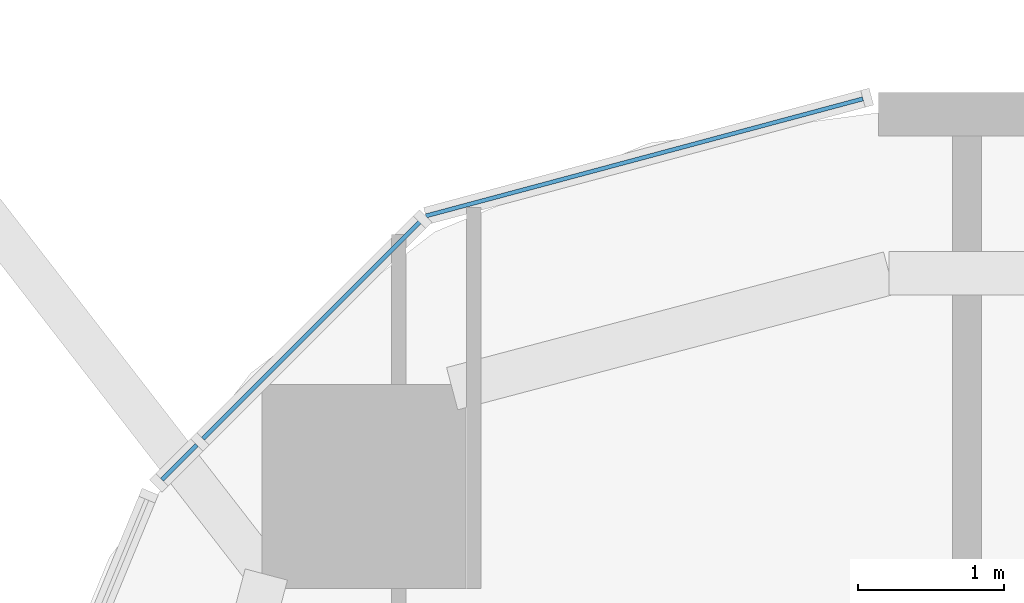
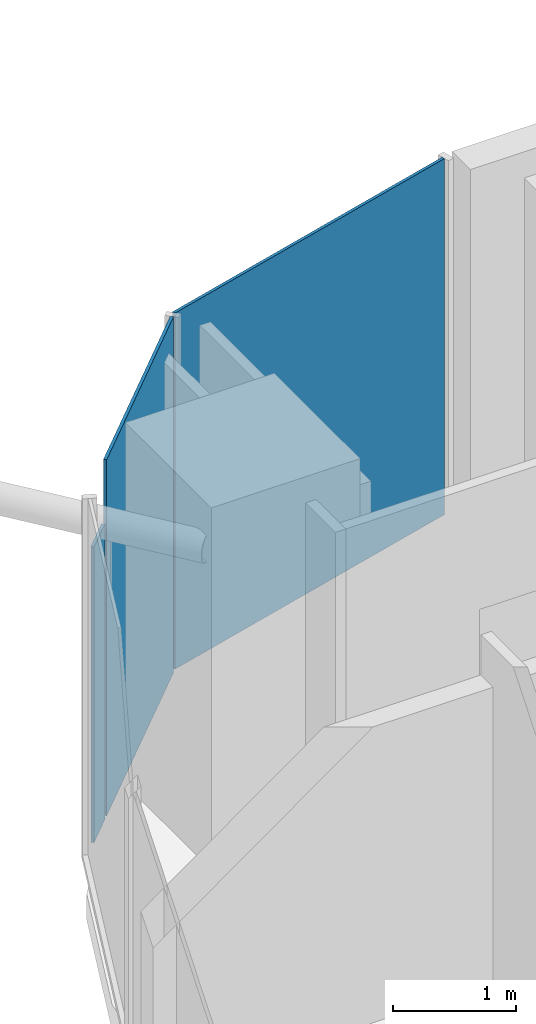
# One storey, part 18 of 28: 3 plates, 3 elements without a shape of their own.
"""IFC4 building model written with IfcOpenShell, lengths in metres."""

import ifcopenshell
import ifcopenshell.guid

model = None  # the IFC model being written
_history = None  # IfcOwnerHistory: only IFC2X3 demands one
_inside = {}  # id of a spatial element -> (the spatial element, [elements in it])
_under = {}  # id of a project, library or spatial element -> (it, [spatial elements below it])
_declared = {}  # id of a project -> (the project, [libraries it declares])
_typed = {}  # id of a type object -> (the type object, [elements of that type])
_made_of = {}  # id of a material, layer set ... -> (it, [elements and type objects made of it])


def new_model(schema):
    """Start an empty IFC model of exactly this schema.

    Asked for "IFC4X3", IfcOpenShell would pick the latest addendum, in which some entities
    have other attributes; the version numbers below select the first issue.
    IFC2X3 requires an IfcOwnerHistory on every rooted entity: one is made here for all.
    """
    global model, _history
    if schema == "IFC4X3":
        model = ifcopenshell.file(schema_version=(4, 3, 0, 0))
    else:
        model = ifcopenshell.file(schema=schema)
    _inside.clear()
    _under.clear()
    _declared.clear()
    _typed.clear()
    _made_of.clear()
    _history = None
    if model.schema == "IFC2X3":
        org = make("IfcOrganization", Name="unknown")
        user = make(
            "IfcPersonAndOrganization",
            ThePerson=make("IfcPerson", FamilyName="unknown"),
            TheOrganization=org,
        )
        app = make(
            "IfcApplication",
            ApplicationDeveloper=org,
            Version="unknown",
            ApplicationFullName="unknown",
            ApplicationIdentifier="unknown",
        )
        _history = make(
            "IfcOwnerHistory",
            OwningUser=user,
            OwningApplication=app,
            ChangeAction="ADDED",
            CreationDate=0,
        )
    return model


def make(cls, **values):
    """One entity of the class cls with the attributes given. An attribute that is None is left unset."""
    return model.create_entity(
        cls, **{name: value for name, value in values.items() if value is not None}
    )


def rooted(cls, **values):
    """An entity with a GlobalId (a new one), such as an element, a storey or a relation."""
    return make(cls, GlobalId=ifcopenshell.guid.new(), OwnerHistory=_history, **values)


def si_unit(unit_type, name, prefix=None):
    """IfcSIUnit, for example si_unit("LENGTHUNIT", "METRE", prefix="MILLI")."""
    return make("IfcSIUnit", UnitType=unit_type, Prefix=prefix, Name=name)


def assignment(units):
    """IfcUnitAssignment: the units of a project."""
    return None if units is None else make("IfcUnitAssignment", Units=units)


def point(xyz):
    """IfcCartesianPoint."""
    return None if xyz is None else make("IfcCartesianPoint", Coordinates=xyz)


def direction(xyz):
    """IfcDirection."""
    return None if xyz is None else make("IfcDirection", DirectionRatios=xyz)


def frame(location, z_axis=None, x_axis=None):
    """IfcAxis2Placement3D, a coordinate frame: its origin and axes. An axis left out is left unset."""
    return make(
        "IfcAxis2Placement3D",
        Location=point(location),
        Axis=direction(z_axis),
        RefDirection=direction(x_axis),
    )


def frame_2d(location, x_axis=None):
    """IfcAxis2Placement2D, a coordinate frame in the plane: its origin and x axis."""
    return make(
        "IfcAxis2Placement2D", Location=point(location), RefDirection=direction(x_axis)
    )


def origin():
    """The frame at (0, 0, 0) with its axes left unset."""
    return frame((0.0, 0.0, 0.0))


def origin_2d():
    """The frame at (0, 0) in the plane with its x axis left unset."""
    return frame_2d((0.0, 0.0))


def place(relative_to, where):
    """IfcLocalPlacement: puts the frame where relative to a parent placement (None: the world)."""
    return make(
        "IfcLocalPlacement", PlacementRelTo=relative_to, RelativePlacement=where
    )


def context(
    kind, dimensions, precision=None, world=None, true_north=None, identifier=None
):
    """IfcGeometricRepresentationContext, for example the 3D "Model" context."""
    return make(
        "IfcGeometricRepresentationContext",
        ContextIdentifier=identifier,
        ContextType=kind,
        CoordinateSpaceDimension=dimensions,
        Precision=precision,
        WorldCoordinateSystem=world,
        TrueNorth=true_north,
    )


def subcontext(parent, identifier, kind, view, scale=None):
    """IfcGeometricRepresentationSubContext, for example "Body" below "Model"."""
    return make(
        "IfcGeometricRepresentationSubContext",
        ContextIdentifier=identifier,
        ContextType=kind,
        ParentContext=parent,
        TargetScale=scale,
        TargetView=view,
    )


def project(units=None, contexts=None):
    """IfcProject with its units and contexts."""
    return rooted(
        "IfcProject",
        Name="project",
        RepresentationContexts=contexts,
        UnitsInContext=assignment(units),
    )


def spatial(cls, under=None, at=None, **own):
    """A site, building, storey or space (cls), placed at a placement, below another one or the project."""
    s = rooted(cls, ObjectPlacement=at, **own)
    if under is not None:
        _under.setdefault(under.id(), (under, []))[1].append(s)
    return s


def profile(cls, at=None, kind="AREA", **sizes):
    """A parametric profile (cls). Its sizes go by their IFC names, for example OverallWidth=200.0."""
    return make(cls, ProfileType=kind, Position=at, **sizes)


def rectangle(**sizes):
    """IfcRectangleProfileDef."""
    return profile("IfcRectangleProfileDef", **sizes)


def extrude(swept, where, along, depth):
    """IfcExtrudedAreaSolid: the profile swept, set in the frame where, extruded along a direction by depth."""
    return make(
        "IfcExtrudedAreaSolid",
        SweptArea=swept,
        Position=where,
        ExtrudedDirection=direction(along),
        Depth=depth,
    )


def shape(context_of_items, identifier, shape_type, items):
    """IfcShapeRepresentation: the items that make up one representation, for example the "Body"."""
    return make(
        "IfcShapeRepresentation",
        ContextOfItems=context_of_items,
        RepresentationIdentifier=identifier,
        RepresentationType=shape_type,
        Items=items,
    )


def material(Name=None, Category=None):
    """IfcMaterial."""
    return make("IfcMaterial", Name=Name, Category=Category)


def layer(
    of_material, thickness, ventilated=None, Name=None, Category=None, Priority=None
):
    """IfcMaterialLayer: one layer of a wall or slab, of a material (None: an air gap)."""
    return make(
        "IfcMaterialLayer",
        Material=of_material,
        LayerThickness=thickness,
        IsVentilated=ventilated,
        Name=Name,
        Category=Category,
        Priority=Priority,
    )


def layer_set(layers, Name=None):
    """IfcMaterialLayerSet."""
    return make("IfcMaterialLayerSet", MaterialLayers=layers, LayerSetName=Name)


def made_of(thing, what):
    """Note that an element or type object is made of a material, layer set ...; save() writes the relation."""
    if what is not None:
        _made_of.setdefault(what.id(), (what, []))[1].append(thing)
    return thing


def type_object(cls, material=None, **own):
    """A type object (cls), such as IfcWallType, which elements share."""
    return made_of(rooted(cls, **own), material)


def element(
    cls,
    number,
    at=None,
    inside=None,
    cuts=None,
    type_object=None,
    material=None,
    context=None,
    identifier="Body",
    shape_type=None,
    held_by="IfcProductDefinitionShape",
    body=None,
    shapes=None,
    **own,
):
    """One element of the class cls, such as IfcWall. Its Tag is "e" and its number.

    at: its placement. inside: the storey or other place that contains it. cuts: it is an
    opening in that element (IfcRelVoidsElement). A single representation is given by context,
    identifier, shape_type and body (its items); several are given by shapes. held_by: the class
    of the entity that holds the representations. save() writes the other relations.
    """
    e = rooted(cls, Tag="e%d" % number, ObjectPlacement=at, **own)
    if body is not None:
        shapes = [shape(context, identifier, shape_type, body)]
    if shapes is not None:
        e.Representation = make(held_by, Representations=shapes)
    if inside is not None:
        _inside.setdefault(inside.id(), (inside, []))[1].append(e)
    if cuts is not None:
        rooted(
            "IfcRelVoidsElement", RelatingBuildingElement=cuts, RelatedOpeningElement=e
        )
    if type_object is not None:
        _typed.setdefault(type_object.id(), (type_object, []))[1].append(e)
    return made_of(e, material)


def aggregate(whole, parts):
    """IfcRelAggregates: a whole, such as a stair, and the parts it consists of."""
    return rooted("IfcRelAggregates", RelatingObject=whole, RelatedObjects=parts)


def save(model, path):
    """Write the relations noted so far, then the file.

    IfcRelAggregates (storeys below a building ...), IfcRelContainedInSpatialStructure (elements
    in a storey), IfcRelDefinesByType, IfcRelAssociatesMaterial and IfcRelDeclares: one each for
    every whole, place, type object, material and project.
    """
    for whole, parts in _under.values():
        aggregate(whole, parts)
    for where, things in _inside.values():
        rooted(
            "IfcRelContainedInSpatialStructure",
            RelatedElements=things,
            RelatingStructure=where,
        )
    for kind, things in _typed.values():
        rooted("IfcRelDefinesByType", RelatedObjects=things, RelatingType=kind)
    for what, things in _made_of.values():
        rooted("IfcRelAssociatesMaterial", RelatedObjects=things, RelatingMaterial=what)
    for by, libraries in _declared.values():
        rooted("IfcRelDeclares", RelatingContext=by, RelatedDefinitions=libraries)
    model.write(path)


model = new_model("IFC4")

# Units and contexts
model_context = context("Model", 3, precision=1e-05, world=origin(), true_north=direction((0.0, 1.0)))
body_context = subcontext(model_context, "Body", "Model", "MODEL_VIEW")
ifc_project = project(units=[si_unit("LENGTHUNIT", "METRE"), si_unit("AREAUNIT", "SQUARE_METRE"), si_unit("VOLUMEUNIT", "CUBIC_METRE"), si_unit("PLANEANGLEUNIT", "RADIAN"), si_unit("MASSUNIT", "GRAM", prefix="KILO")], contexts=[model_context])

# Site, building, storey
site_placement = place(None, origin())
site = spatial("IfcSite", under=ifc_project, at=site_placement, CompositionType="ELEMENT")
building_placement = place(site_placement, origin())
building = spatial("IfcBuilding", under=site, at=building_placement, Name="Marenta Gate Hotel Tower", CompositionType="ELEMENT")
storey_placement = place(building_placement, frame((0.0, 0.0, 212.89990234375)))
storey = spatial("IfcBuildingStorey", under=building, at=storey_placement, Name="L49", CompositionType="ELEMENT", Elevation=212.89990234375)

# Curtain wall, plate
ifc_material_1 = material(Name="Tinted insulated glass in bronze anodised frame", Category="glass")
ifc_layer_1 = layer(ifc_material_1, 0.1201171875)
ifc_layer_set_1 = layer_set([ifc_layer_1], Name="Tinted insulated glass in bronze anodised frame")
curtain_wall_type = type_object("IfcCurtainWallType", Name="Tower unitised curtain wall CW1", PredefinedType="NOTDEFINED", material=ifc_layer_set_1)
curtain_wall_1_placement = place(storey_placement, origin())
curtain_wall_1 = element("IfcCurtainWall", 1, at=curtain_wall_1_placement, inside=storey, type_object=curtain_wall_type, Name="CW1 run G00", PredefinedType="NOTDEFINED")
ifc_material_2 = material(Name="Tinted insulated glass", Category="glass")
ifc_layer_2 = layer(ifc_material_2, 0.028076171875)
ifc_layer_set_2 = layer_set([ifc_layer_2], Name="Tinted insulated glass")
plate_type = type_object("IfcPlateType", Name="Glass panel CW1 28 mm tinted insulated unit", PredefinedType="CURTAIN_PANEL", material=ifc_layer_set_2)
plate_1_placement = place(storey_placement, frame((-20.813720703125, 22.19384765625, 0.06005859375), z_axis=(0.0, 0.0, 1.0), x_axis=(-0.965930559685, -0.258801379183, 0.0)))
plate_1 = element("IfcPlate", 2, at=plate_1_placement, type_object=plate_type, Name="CW1 panel 1.1", PredefinedType="CURTAIN_PANEL", context=body_context, shape_type="SweptSolid", body=[
    extrude(rectangle(XDim=3.104248046875, YDim=0.028076171875, at=origin_2d()), origin(), (0.0, 0.0, 1.0), 3.5400390625),
])
aggregate(curtain_wall_1, [plate_1])

curtain_wall_2_placement = place(storey_placement, origin())
curtain_wall_2 = element("IfcCurtainWall", 3, at=curtain_wall_2_placement, inside=storey, type_object=curtain_wall_type, Name="CW1 run G01", PredefinedType="NOTDEFINED")
plate_2_placement = place(storey_placement, frame((-23.0986328125, 21.00634765625, 0.06005859375), z_axis=(0.0, 0.0, 1.0), x_axis=(-0.707106781187, -0.707106781187, 0.0)))
plate_2 = element("IfcPlate", 4, at=plate_2_placement, type_object=plate_type, Name="CW1 panel 1.1", PredefinedType="CURTAIN_PANEL", context=body_context, shape_type="SweptSolid", body=[
    extrude(rectangle(XDim=2.1025390625, YDim=0.028076171875, at=origin_2d()), origin(), (0.0, 0.0, 1.0), 3.5400390625),
])
aggregate(curtain_wall_2, [plate_2])

curtain_wall_3_placement = place(storey_placement, origin())
curtain_wall_3 = element("IfcCurtainWall", 5, at=curtain_wall_3_placement, inside=storey, type_object=curtain_wall_type, Name="CW1 run G02", PredefinedType="NOTDEFINED")
plate_3_placement = place(storey_placement, frame((-24.003662109375, 20.1015625, 0.060302734375), z_axis=(0.0, 0.0, 1.0), x_axis=(-0.707106781187, -0.707106781187, 0.0)))
plate_3 = element("IfcPlate", 6, at=plate_3_placement, type_object=plate_type, Name="CW1 panel 1.1", PredefinedType="CURTAIN_PANEL", context=body_context, shape_type="SweptSolid", body=[
    extrude(rectangle(XDim=0.336669921875, YDim=0.028076171875, at=origin_2d()), origin(), (0.0, 0.0, 1.0), 2.9404296875),
])
aggregate(curtain_wall_3, [plate_3])

save(model, "model.ifc")
